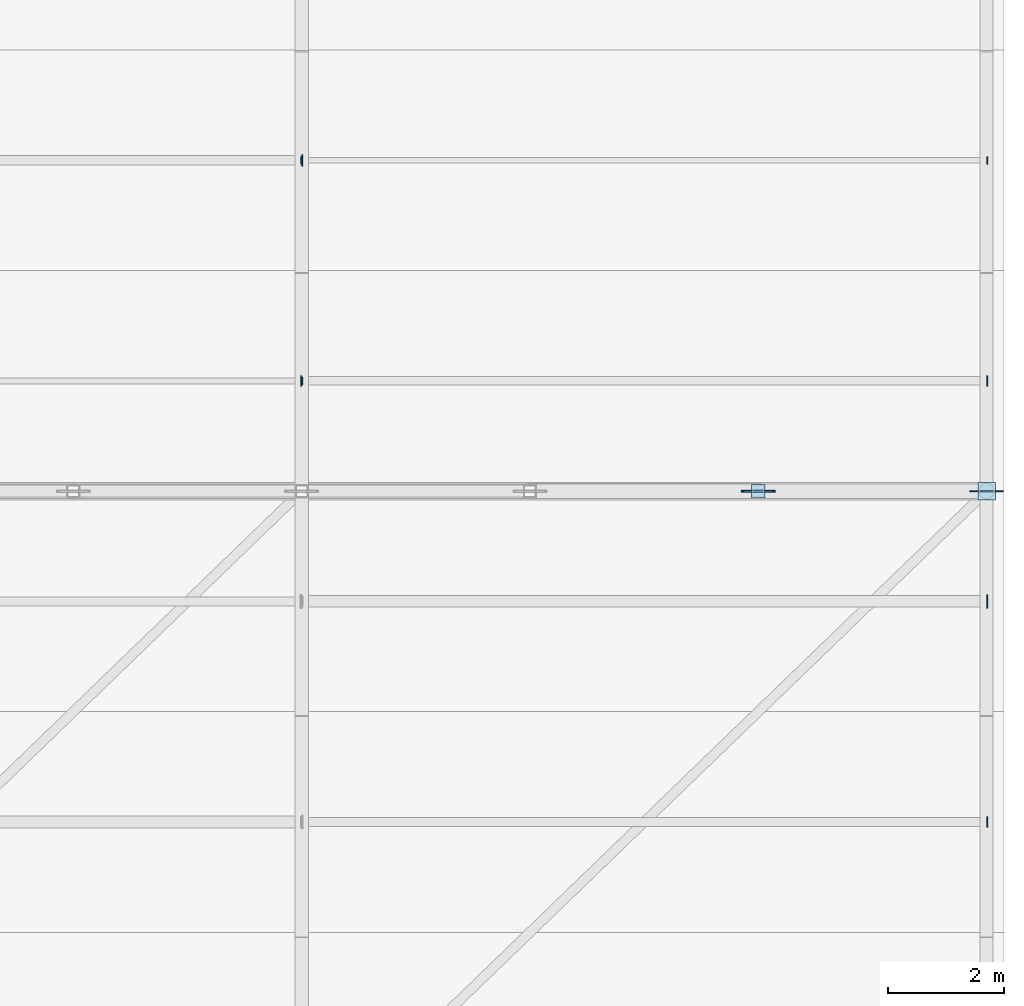
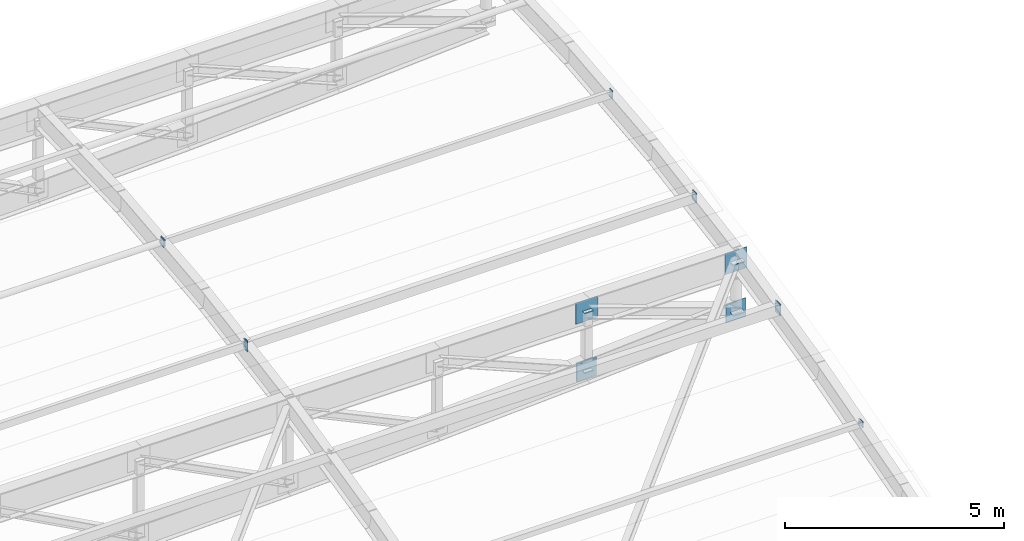
# One storey, part 62 of 65: 16 plates.
"""IFC4 building model written with IfcOpenShell, lengths in metres."""

from ifc_helpers import new_model, si_unit, direction, frame, origin, origin_2d, place, context, subcontext, project, spatial, rectangle, extrude, material, layer, layer_set, type_object, element, save


model = new_model("IFC4")

# Units and contexts
model_context = context("Model", 3, precision=1e-05, world=origin(), true_north=direction((0.0, 1.0)))
body_context = subcontext(model_context, "Body", "Model", "MODEL_VIEW")
ifc_project = project(units=[si_unit("LENGTHUNIT", "METRE"), si_unit("AREAUNIT", "SQUARE_METRE"), si_unit("VOLUMEUNIT", "CUBIC_METRE"), si_unit("PLANEANGLEUNIT", "RADIAN"), si_unit("MASSUNIT", "GRAM", prefix="KILO"), si_unit("POWERUNIT", "WATT"), si_unit("THERMODYNAMICTEMPERATUREUNIT", "KELVIN")], contexts=[model_context])

# Site, building, storey
site_placement = place(None, origin())
site = spatial("IfcSite", under=ifc_project, at=site_placement, CompositionType="ELEMENT")
building_placement = place(site_placement, origin())
building = spatial("IfcBuilding", under=site, at=building_placement, Name="Kelmbourne Parkland Aquatics Centre", CompositionType="ELEMENT")
storey_placement = place(building_placement, frame((0.0, 0.0, 27.0)))
storey = spatial("IfcBuildingStorey", under=building, at=storey_placement, Name="RF", CompositionType="ELEMENT", Elevation=27.0)

# Plates
ifc_material = material(Name="Welded plate steel AS/NZS 3678 Grade 350", Category="steel")
ifc_layer_1 = layer(ifc_material, 0.02001953125)
ifc_layer_set_1 = layer_set([ifc_layer_1], Name="Welded plate steel AS/NZS 3678 Grade 350")
plate_type_1 = type_object("IfcPlateType", Name="PL-CAP-20", PredefinedType="USERDEFINED", material=ifc_layer_set_1)
for number, where, z_axis, x_axis, name in (
    (1, (171.2666015625, 103.39990234375, -1.67529296875), (0.0, 0.0, 1.0), (1.0, 0.0, 0.0), "Hollow end cap plate CAP-0271"),
    (2, (171.2666015625, 103.39990234375, -0.017578125), (0.0, 0.0, 1.0), (1.0, 0.0, 0.0), "Hollow end cap plate CAP-0272"),
):
    element("IfcPlate", number, at=place(storey_placement, frame(where, z_axis=z_axis, x_axis=x_axis)), inside=storey, type_object=plate_type_1, Name=name, ObjectType="END CAP PLATE", PredefinedType="USERDEFINED", context=body_context, shape_type="SweptSolid", body=[
        extrude(rectangle(XDim=0.22998046875, YDim=0.22998046875, at=origin_2d()), origin(), (0.0, 0.0, 1.0), 0.02001953125),
    ])
plate_1_placement = place(storey_placement, frame((175.208984375, 97.699951171875, -1.17236328125), z_axis=(0.0, 0.0, 1.0), x_axis=(1.0, 0.0, 0.0)))
element("IfcPlate", 3, at=plate_1_placement, inside=storey, type_object=plate_type_1, Name="Hollow end cap plate CAP-0508", ObjectType="END CAP PLATE", PredefinedType="USERDEFINED", context=body_context, shape_type="SweptSolid", body=[
    extrude(rectangle(XDim=0.02001953125, YDim=0.179931640625, at=origin_2d()), origin(), (0.0, 0.0, 1.0), 0.179931640625),
])
plate_2_placement = place(storey_placement, frame((163.408935546875, 105.300048828125, 0.5263671875), z_axis=(0.0, 0.0, 1.0), x_axis=(1.0, 0.0, 0.0)))
element("IfcPlate", 4, at=plate_2_placement, inside=storey, type_object=plate_type_1, Name="Hollow end cap plate CAP-0522", ObjectType="END CAP PLATE", PredefinedType="USERDEFINED", context=body_context, shape_type="SweptSolid", body=[
    extrude(rectangle(XDim=0.02001953125, YDim=0.1298828125, at=origin_2d()), origin(), (0.0, 0.0, 1.0), 0.22998046875),
])
for number, where, z_axis, x_axis, name in (
    (5, (163.39111328125, 105.300048828125, 0.4765625), (0.0, 0.0, 1.0), (-1.0, 0.0, 0.0), "Hollow end cap plate CAP-0523"),
    (6, (175.208984375, 105.300048828125, 0.4765625), (0.0, 0.0, 1.0), (1.0, 0.0, 0.0), "Hollow end cap plate CAP-0524"),
):
    element("IfcPlate", number, at=place(storey_placement, frame(where, z_axis=z_axis, x_axis=x_axis)), inside=storey, type_object=plate_type_1, Name=name, ObjectType="END CAP PLATE", PredefinedType="USERDEFINED", context=body_context, shape_type="SweptSolid", body=[
        extrude(rectangle(XDim=0.02001953125, YDim=0.179931640625, at=origin_2d()), origin(), (0.0, 0.0, 1.0), 0.280029296875),
    ])
plate_3_placement = place(storey_placement, frame((163.408935546875, 109.10009765625, 1.08837890625), z_axis=(0.0, 0.0, 1.0), x_axis=(1.0, 0.0, 0.0)))
element("IfcPlate", 7, at=plate_3_placement, inside=storey, type_object=plate_type_1, Name="Hollow end cap plate CAP-0530", ObjectType="END CAP PLATE", PredefinedType="USERDEFINED", context=body_context, shape_type="SweptSolid", body=[
    extrude(rectangle(XDim=0.02001953125, YDim=0.1982421875, at=origin_2d()), origin(), (0.0, 0.0, 1.0), 0.1982421875),
])
for number, where, z_axis, x_axis, name in (
    (8, (163.39111328125, 109.10009765625, 1.056396484375), (0.0, 0.0, 1.0), (-1.0, 0.0, 0.0), "Hollow end cap plate CAP-0531"),
    (9, (175.208984375, 109.10009765625, 1.056396484375), (0.0, 0.0, 1.0), (1.0, 0.0, 0.0), "Hollow end cap plate CAP-0532"),
):
    element("IfcPlate", number, at=place(storey_placement, frame(where, z_axis=z_axis, x_axis=x_axis)), inside=storey, type_object=plate_type_1, Name=name, ObjectType="END CAP PLATE", PredefinedType="USERDEFINED", context=body_context, shape_type="SweptSolid", body=[
        extrude(rectangle(XDim=0.02001953125, YDim=0.1298828125, at=origin_2d()), origin(), (0.0, 0.0, 1.0), 0.22998046875),
    ])
ifc_layer_2 = layer(ifc_material, 0.02392578125)
ifc_layer_set_2 = layer_set([ifc_layer_2], Name="Welded plate steel AS/NZS 3678 Grade 350")
plate_type_2 = type_object("IfcPlateType", Name="PL-CAP-24", PredefinedType="USERDEFINED", material=ifc_layer_set_2)
for number, where, z_axis, x_axis, name in (
    (10, (175.199951171875, 103.39990234375, -1.419677734375), (0.0, 0.0, 1.0), (1.0, 0.0, 0.0), "Hollow end cap plate CAP-0273"),
    (11, (175.199951171875, 103.39990234375, -0.017578125), (0.0, 0.0, 1.0), (1.0, 0.0, 0.0), "Hollow end cap plate CAP-0274"),
):
    element("IfcPlate", number, at=place(storey_placement, frame(where, z_axis=z_axis, x_axis=x_axis)), inside=storey, type_object=plate_type_2, Name=name, ObjectType="END CAP PLATE", PredefinedType="USERDEFINED", context=body_context, shape_type="SweptSolid", body=[
        extrude(rectangle(XDim=0.302978515625, YDim=0.302978515625, at=origin_2d()), origin(), (0.0, 0.0, 1.0), 0.02392578125),
    ])
plate_4_placement = place(storey_placement, frame((175.2109375, 101.5, -0.343017578125), z_axis=(0.0, 0.0, 1.0), x_axis=(1.0, 0.0, 0.0)))
element("IfcPlate", 12, at=plate_4_placement, inside=storey, type_object=plate_type_2, Name="Hollow end cap plate CAP-0516", ObjectType="END CAP PLATE", PredefinedType="USERDEFINED", context=body_context, shape_type="SweptSolid", body=[
    extrude(rectangle(XDim=0.02392578125, YDim=0.22998046875, at=origin_2d()), origin(), (0.0, 0.0, 1.0), 0.330078125),
])
ifc_layer_3 = layer(ifc_material, 0.02001953125)
ifc_layer_set_3 = layer_set([ifc_layer_3], Name="Welded plate steel AS/NZS 3678 Grade 350")
plate_type_3 = type_object("IfcPlateType", Name="PL-GUS-1", PredefinedType="USERDEFINED", material=ifc_layer_set_3)
plate_5_placement = place(storey_placement, frame((175.199951171875, 103.39990234375, -0.306640625), z_axis=(0.0, 0.0, 1.0), x_axis=(1.0, 0.0, 0.0)))
element("IfcPlate", 13, at=plate_5_placement, inside=storey, type_object=plate_type_3, Name="Truss top node TN-1 gusset plate R09-N12", ObjectType="GUSSET PLATE", PredefinedType="USERDEFINED", context=body_context, shape_type="SweptSolid", body=[
    extrude(rectangle(XDim=0.580078125, YDim=0.02001953125, at=origin_2d()), origin(), (0.0, 0.0, 1.0), 0.580078125),
])
plate_6_placement = place(storey_placement, frame((175.199951171875, 103.39990234375, -1.656494140625), z_axis=(0.0, 0.0, 1.0), x_axis=(1.0, 0.0, 0.0)))
element("IfcPlate", 14, at=plate_6_placement, inside=storey, type_object=plate_type_3, Name="Truss bottom node TN-1 gusset plate R09-B12", ObjectType="GUSSET PLATE", PredefinedType="USERDEFINED", context=body_context, shape_type="SweptSolid", body=[
    extrude(rectangle(XDim=0.52001953125, YDim=0.02001953125, at=origin_2d()), origin(), (0.0, 0.0, 1.0), 0.52001953125),
])
ifc_layer_4 = layer(ifc_material, 0.031982421875)
ifc_layer_set_4 = layer_set([ifc_layer_4], Name="Welded plate steel AS/NZS 3678 Grade 350")
plate_type_4 = type_object("IfcPlateType", Name="PL-GUS-3", PredefinedType="USERDEFINED", material=ifc_layer_set_4)
plate_7_placement = place(storey_placement, frame((171.2666015625, 103.39990234375, -0.306640625), z_axis=(0.0, 0.0, 1.0), x_axis=(1.0, 0.0, 0.0)))
element("IfcPlate", 15, at=plate_7_placement, inside=storey, type_object=plate_type_4, Name="Truss top node TN-3 gusset plate R09-N11", ObjectType="GUSSET PLATE", PredefinedType="USERDEFINED", context=body_context, shape_type="SweptSolid", body=[
    extrude(rectangle(XDim=0.580078125, YDim=0.031982421875, at=origin_2d()), origin(), (0.0, 0.0, 1.0), 0.580078125),
])
plate_8_placement = place(storey_placement, frame((171.2666015625, 103.39990234375, -1.916259765625), z_axis=(0.0, 0.0, 1.0), x_axis=(1.0, 0.0, 0.0)))
element("IfcPlate", 16, at=plate_8_placement, inside=storey, type_object=plate_type_4, Name="Truss bottom node TN-3 gusset plate R09-B11", ObjectType="GUSSET PLATE", PredefinedType="USERDEFINED", context=body_context, shape_type="SweptSolid", body=[
    extrude(rectangle(XDim=0.52001953125, YDim=0.031982421875, at=origin_2d()), origin(), (0.0, 0.0, 1.0), 0.52001953125),
])

save(model, "model.ifc")
